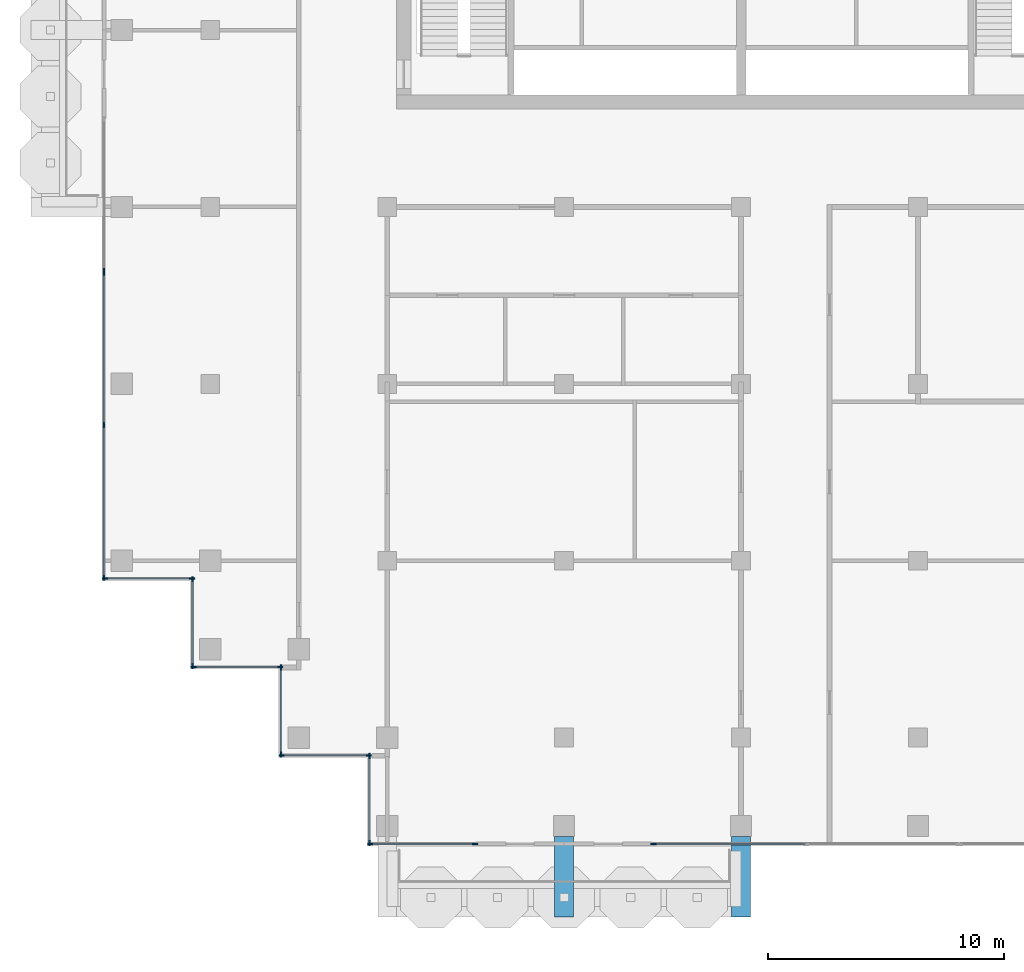
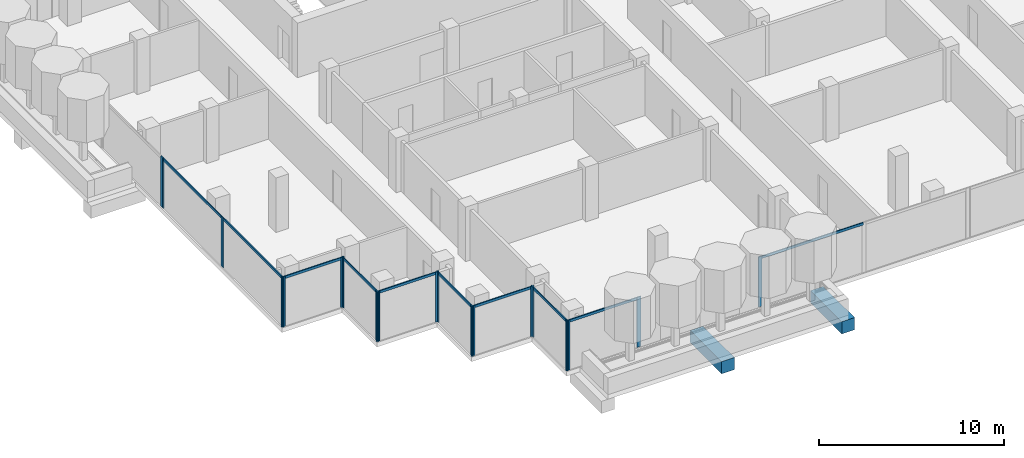
# One storey, part 2 of 18: 29 members, 2 beams, 10 elements without a shape of their own.
"""IFC4 building model written with IfcOpenShell, lengths in metres."""

from ifc_helpers import new_model, si_unit, direction, frame, origin, origin_2d, place, context, subcontext, project, spatial, rectangle, extrude, material, material_profile, profile_set, type_object, element, aggregate, save


model = new_model("IFC4")

# Units and contexts
model_context = context("Model", 3, precision=1e-05, world=origin(), true_north=direction((0.0, 1.0)))
body_context = subcontext(model_context, "Body", "Model", "MODEL_VIEW")
ifc_project = project(units=[si_unit("LENGTHUNIT", "METRE"), si_unit("AREAUNIT", "SQUARE_METRE"), si_unit("VOLUMEUNIT", "CUBIC_METRE"), si_unit("PLANEANGLEUNIT", "RADIAN"), si_unit("MASSUNIT", "GRAM", prefix="KILO")], contexts=[model_context])

# Site, building, storey
site_placement = place(None, origin())
site = spatial("IfcSite", under=ifc_project, at=site_placement, CompositionType="ELEMENT")
building_placement = place(site_placement, origin())
building = spatial("IfcBuilding", under=site, at=building_placement, Name="Pilkhan Gate Tower", CompositionType="ELEMENT")
storey_placement = place(building_placement, frame((0.0, 0.0, 235.5)))
storey = spatial("IfcBuildingStorey", under=building, at=storey_placement, Name="L61", CompositionType="ELEMENT", Elevation=235.5)

# Beams
ifc_material_1 = material(Name="Concrete C50/60", Category="concrete")
ifc_material_profile_1 = material_profile(ifc_material_1, rectangle(XDim=0.800048828125, YDim=0.800048828125, at=origin_2d()), Name="RC 800x800")
ifc_profile_set_1 = profile_set([ifc_material_profile_1], Name="Concrete C50/60")
beam_type = type_object("IfcBeamType", Name="Cantilever beam CB2 RC 800x800 C50/60", PredefinedType="BEAM", material=ifc_profile_set_1)
for number, where, z_axis, x_axis, name in (
    (1, (67.5, 40.800048828125, -0.699951171875), (0.0, -1.0, 0.0), (1.0, 0.0, 0.0), "Balcony beam S.2 L61"),
    (2, (75.0, 40.800048828125, -0.699951171875), (0.0, -1.0, 0.0), (1.0, 0.0, 0.0), "Balcony beam S.3 L61"),
):
    element("IfcBeam", number, at=place(storey_placement, frame(where, z_axis=z_axis, x_axis=x_axis)), inside=storey, type_object=beam_type, Name=name, PredefinedType="BEAM", context=body_context, shape_type="SweptSolid", body=[
        extrude(rectangle(XDim=0.800048828125, YDim=0.800048828125, at=origin_2d()), origin(), (0.0, 0.0, 1.0), 3.400146484375),
    ])

# Curtain wall, members
ifc_material_2 = material(Name="Pale anodised aluminium, clear low-iron double glazing", Category="aluminium")
curtain_wall_type = type_object("IfcCurtainWallType", Name="Office unitised curtain wall CW-O2", PredefinedType="USERDEFINED", material=ifc_material_2)
curtain_wall_1_placement = place(storey_placement, origin())
curtain_wall_1 = element("IfcCurtainWall", 3, at=curtain_wall_1_placement, inside=storey, type_object=curtain_wall_type, Name="Office unitised curtain wall CW-O2 L61 W", ObjectType="UNITISED CURTAIN WALL", PredefinedType="USERDEFINED")
ifc_material_3 = material(Name="Pale anodised aluminium", Category="aluminium")
ifc_material_profile_2 = material_profile(ifc_material_3, rectangle(XDim=0.06494140625, YDim=0.22509765625, at=origin_2d()), Name="Mullion 225x65")
ifc_profile_set_2 = profile_set([ifc_material_profile_2], Name="Pale anodised aluminium")
member_type_1 = type_object("IfcMemberType", Name="Mullion CW-O2 225x65", PredefinedType="MULLION", material=ifc_profile_set_2)
member_1_placement = place(storey_placement, frame((48.0, 51.782470703125, 0.0), z_axis=(0.0, 0.0, 1.0), x_axis=(-1.0, 0.0, 0.0)))
member_1 = element("IfcMember", 4, at=member_1_placement, type_object=member_type_1, Name="CW-O2 mullion 1", PredefinedType="MULLION", context=body_context, shape_type="SweptSolid", body=[
    extrude(rectangle(XDim=0.06494140625, YDim=0.22509765625, at=origin_2d()), origin(), (0.0, 0.0, 1.0), 3.300048828125),
])
member_2_placement = place(storey_placement, frame((48.0, 58.25, 0.0), z_axis=(0.0, 0.0, 1.0), x_axis=(-1.0, 0.0, 0.0)))
member_2 = element("IfcMember", 5, at=member_2_placement, type_object=member_type_1, Name="CW-O2 mullion 2", PredefinedType="MULLION", context=body_context, shape_type="SweptSolid", body=[
    extrude(rectangle(XDim=0.06494140625, YDim=0.22509765625, at=origin_2d()), origin(), (0.0, 0.0, 1.0), 3.300048828125),
])
member_3_placement = place(storey_placement, frame((48.0, 64.717529296875, 0.0), z_axis=(0.0, 0.0, 1.0), x_axis=(-1.0, 0.0, 0.0)))
member_3 = element("IfcMember", 6, at=member_3_placement, type_object=member_type_1, Name="CW-O2 mullion 3", PredefinedType="MULLION", context=body_context, shape_type="SweptSolid", body=[
    extrude(rectangle(XDim=0.06494140625, YDim=0.22509765625, at=origin_2d()), origin(), (0.0, 0.0, 1.0), 3.300048828125),
])

# Curtain wall, member
curtain_wall_2_placement = place(storey_placement, origin())
curtain_wall_2 = element("IfcCurtainWall", 7, at=curtain_wall_2_placement, inside=storey, type_object=curtain_wall_type, Name="Office unitised curtain wall CW-O2 L61 W", ObjectType="UNITISED CURTAIN WALL", PredefinedType="USERDEFINED")
member_4_placement = place(storey_placement, frame((48.0, 64.782470703125, 0.0), z_axis=(0.0, 0.0, 1.0), x_axis=(-1.0, 0.0, 0.0)))
member_4 = element("IfcMember", 8, at=member_4_placement, type_object=member_type_1, Name="CW-O2 mullion 1", PredefinedType="MULLION", context=body_context, shape_type="SweptSolid", body=[
    extrude(rectangle(XDim=0.06494140625, YDim=0.22509765625, at=origin_2d()), origin(), (0.0, 0.0, 1.0), 3.300048828125),
])
aggregate(curtain_wall_2, [member_4])

# Curtain wall, members
curtain_wall_3_placement = place(storey_placement, origin())
curtain_wall_3 = element("IfcCurtainWall", 9, at=curtain_wall_3_placement, inside=storey, type_object=curtain_wall_type, Name="Office unitised curtain wall CW-O2 L61 S", ObjectType="UNITISED CURTAIN WALL", PredefinedType="USERDEFINED")
member_5_placement = place(storey_placement, frame((48.032470703125, 51.75, 0.0), z_axis=(0.0, 0.0, 1.0), x_axis=(0.0, 1.0, 0.0)))
member_5 = element("IfcMember", 10, at=member_5_placement, type_object=member_type_1, Name="CW-O2 mullion 1", PredefinedType="MULLION", context=body_context, shape_type="SweptSolid", body=[
    extrude(rectangle(XDim=0.06494140625, YDim=0.22509765625, at=origin_2d()), origin(), (0.0, 0.0, 1.0), 3.300048828125),
])
member_6_placement = place(storey_placement, frame((51.717529296875, 51.75, 0.0), z_axis=(0.0, 0.0, 1.0), x_axis=(0.0, 1.0, 0.0)))
member_6 = element("IfcMember", 11, at=member_6_placement, type_object=member_type_1, Name="CW-O2 mullion 2", PredefinedType="MULLION", context=body_context, shape_type="SweptSolid", body=[
    extrude(rectangle(XDim=0.06494140625, YDim=0.22509765625, at=origin_2d()), origin(), (0.0, 0.0, 1.0), 3.300048828125),
])

curtain_wall_4_placement = place(storey_placement, origin())
curtain_wall_4 = element("IfcCurtainWall", 12, at=curtain_wall_4_placement, inside=storey, type_object=curtain_wall_type, Name="Office unitised curtain wall CW-O2 L61 W", ObjectType="UNITISED CURTAIN WALL", PredefinedType="USERDEFINED")
member_7_placement = place(storey_placement, frame((51.75, 48.032470703125, 0.0), z_axis=(0.0, 0.0, 1.0), x_axis=(-1.0, 0.0, 0.0)))
member_7 = element("IfcMember", 13, at=member_7_placement, type_object=member_type_1, Name="CW-O2 mullion 1", PredefinedType="MULLION", context=body_context, shape_type="SweptSolid", body=[
    extrude(rectangle(XDim=0.06494140625, YDim=0.22509765625, at=origin_2d()), origin(), (0.0, 0.0, 1.0), 3.300048828125),
])
member_8_placement = place(storey_placement, frame((51.75, 51.717529296875, 0.0), z_axis=(0.0, 0.0, 1.0), x_axis=(-1.0, 0.0, 0.0)))
member_8 = element("IfcMember", 14, at=member_8_placement, type_object=member_type_1, Name="CW-O2 mullion 2", PredefinedType="MULLION", context=body_context, shape_type="SweptSolid", body=[
    extrude(rectangle(XDim=0.06494140625, YDim=0.22509765625, at=origin_2d()), origin(), (0.0, 0.0, 1.0), 3.300048828125),
])

curtain_wall_5_placement = place(storey_placement, origin())
curtain_wall_5 = element("IfcCurtainWall", 15, at=curtain_wall_5_placement, inside=storey, type_object=curtain_wall_type, Name="Office unitised curtain wall CW-O2 L61 S", ObjectType="UNITISED CURTAIN WALL", PredefinedType="USERDEFINED")
member_9_placement = place(storey_placement, frame((51.782470703125, 48.0, 0.0), z_axis=(0.0, 0.0, 1.0), x_axis=(0.0, 1.0, 0.0)))
member_9 = element("IfcMember", 16, at=member_9_placement, type_object=member_type_1, Name="CW-O2 mullion 1", PredefinedType="MULLION", context=body_context, shape_type="SweptSolid", body=[
    extrude(rectangle(XDim=0.06494140625, YDim=0.22509765625, at=origin_2d()), origin(), (0.0, 0.0, 1.0), 3.300048828125),
])
member_10_placement = place(storey_placement, frame((55.467529296875, 48.0, 0.0), z_axis=(0.0, 0.0, 1.0), x_axis=(0.0, 1.0, 0.0)))
member_10 = element("IfcMember", 17, at=member_10_placement, type_object=member_type_1, Name="CW-O2 mullion 2", PredefinedType="MULLION", context=body_context, shape_type="SweptSolid", body=[
    extrude(rectangle(XDim=0.06494140625, YDim=0.22509765625, at=origin_2d()), origin(), (0.0, 0.0, 1.0), 3.300048828125),
])

curtain_wall_6_placement = place(storey_placement, origin())
curtain_wall_6 = element("IfcCurtainWall", 18, at=curtain_wall_6_placement, inside=storey, type_object=curtain_wall_type, Name="Office unitised curtain wall CW-O2 L61 W", ObjectType="UNITISED CURTAIN WALL", PredefinedType="USERDEFINED")
member_11_placement = place(storey_placement, frame((55.5, 44.282470703125, 0.0), z_axis=(0.0, 0.0, 1.0), x_axis=(-1.0, 0.0, 0.0)))
member_11 = element("IfcMember", 19, at=member_11_placement, type_object=member_type_1, Name="CW-O2 mullion 1", PredefinedType="MULLION", context=body_context, shape_type="SweptSolid", body=[
    extrude(rectangle(XDim=0.06494140625, YDim=0.22509765625, at=origin_2d()), origin(), (0.0, 0.0, 1.0), 3.300048828125),
])
member_12_placement = place(storey_placement, frame((55.5, 47.967529296875, 0.0), z_axis=(0.0, 0.0, 1.0), x_axis=(-1.0, 0.0, 0.0)))
member_12 = element("IfcMember", 20, at=member_12_placement, type_object=member_type_1, Name="CW-O2 mullion 2", PredefinedType="MULLION", context=body_context, shape_type="SweptSolid", body=[
    extrude(rectangle(XDim=0.06494140625, YDim=0.22509765625, at=origin_2d()), origin(), (0.0, 0.0, 1.0), 3.300048828125),
])

curtain_wall_7_placement = place(storey_placement, origin())
curtain_wall_7 = element("IfcCurtainWall", 21, at=curtain_wall_7_placement, inside=storey, type_object=curtain_wall_type, Name="Office unitised curtain wall CW-O2 L61 S", ObjectType="UNITISED CURTAIN WALL", PredefinedType="USERDEFINED")
member_13_placement = place(storey_placement, frame((55.532470703125, 44.25, 0.0), z_axis=(0.0, 0.0, 1.0), x_axis=(0.0, 1.0, 0.0)))
member_13 = element("IfcMember", 22, at=member_13_placement, type_object=member_type_1, Name="CW-O2 mullion 1", PredefinedType="MULLION", context=body_context, shape_type="SweptSolid", body=[
    extrude(rectangle(XDim=0.06494140625, YDim=0.22509765625, at=origin_2d()), origin(), (0.0, 0.0, 1.0), 3.300048828125),
])
member_14_placement = place(storey_placement, frame((59.217529296875, 44.25, 0.0), z_axis=(0.0, 0.0, 1.0), x_axis=(0.0, 1.0, 0.0)))
member_14 = element("IfcMember", 23, at=member_14_placement, type_object=member_type_1, Name="CW-O2 mullion 2", PredefinedType="MULLION", context=body_context, shape_type="SweptSolid", body=[
    extrude(rectangle(XDim=0.06494140625, YDim=0.22509765625, at=origin_2d()), origin(), (0.0, 0.0, 1.0), 3.300048828125),
])

curtain_wall_8_placement = place(storey_placement, origin())
curtain_wall_8 = element("IfcCurtainWall", 24, at=curtain_wall_8_placement, inside=storey, type_object=curtain_wall_type, Name="Office unitised curtain wall CW-O2 L61 W", ObjectType="UNITISED CURTAIN WALL", PredefinedType="USERDEFINED")
member_15_placement = place(storey_placement, frame((59.25, 40.532470703125, 0.0), z_axis=(0.0, 0.0, 1.0), x_axis=(-1.0, 0.0, 0.0)))
member_15 = element("IfcMember", 25, at=member_15_placement, type_object=member_type_1, Name="CW-O2 mullion 1", PredefinedType="MULLION", context=body_context, shape_type="SweptSolid", body=[
    extrude(rectangle(XDim=0.06494140625, YDim=0.22509765625, at=origin_2d()), origin(), (0.0, 0.0, 1.0), 3.300048828125),
])
member_16_placement = place(storey_placement, frame((59.25, 44.217529296875, 0.0), z_axis=(0.0, 0.0, 1.0), x_axis=(-1.0, 0.0, 0.0)))
member_16 = element("IfcMember", 26, at=member_16_placement, type_object=member_type_1, Name="CW-O2 mullion 2", PredefinedType="MULLION", context=body_context, shape_type="SweptSolid", body=[
    extrude(rectangle(XDim=0.06494140625, YDim=0.22509765625, at=origin_2d()), origin(), (0.0, 0.0, 1.0), 3.300048828125),
])

curtain_wall_9_placement = place(storey_placement, origin())
curtain_wall_9 = element("IfcCurtainWall", 27, at=curtain_wall_9_placement, inside=storey, type_object=curtain_wall_type, Name="Office unitised curtain wall CW-O2 L61 S", ObjectType="UNITISED CURTAIN WALL", PredefinedType="USERDEFINED")
member_17_placement = place(storey_placement, frame((59.282470703125, 40.5, 0.0), z_axis=(0.0, 0.0, 1.0), x_axis=(0.0, 1.0, 0.0)))
member_17 = element("IfcMember", 28, at=member_17_placement, type_object=member_type_1, Name="CW-O2 mullion 1", PredefinedType="MULLION", context=body_context, shape_type="SweptSolid", body=[
    extrude(rectangle(XDim=0.06494140625, YDim=0.22509765625, at=origin_2d()), origin(), (0.0, 0.0, 1.0), 3.300048828125),
])
member_18_placement = place(storey_placement, frame((63.717529296875, 40.5, 0.0), z_axis=(0.0, 0.0, 1.0), x_axis=(0.0, 1.0, 0.0)))
member_18 = element("IfcMember", 29, at=member_18_placement, type_object=member_type_1, Name="CW-O2 mullion 2", PredefinedType="MULLION", context=body_context, shape_type="SweptSolid", body=[
    extrude(rectangle(XDim=0.06494140625, YDim=0.22509765625, at=origin_2d()), origin(), (0.0, 0.0, 1.0), 3.300048828125),
])

# Curtain wall, member
curtain_wall_10_placement = place(storey_placement, origin())
curtain_wall_10 = element("IfcCurtainWall", 30, at=curtain_wall_10_placement, inside=storey, type_object=curtain_wall_type, Name="Office unitised curtain wall CW-O2 L61 S", ObjectType="UNITISED CURTAIN WALL", PredefinedType="USERDEFINED")
member_19_placement = place(storey_placement, frame((71.282470703125, 40.5, 0.0), z_axis=(0.0, 0.0, 1.0), x_axis=(0.0, 1.0, 0.0)))
member_19 = element("IfcMember", 31, at=member_19_placement, type_object=member_type_1, Name="CW-O2 mullion 1", PredefinedType="MULLION", context=body_context, shape_type="SweptSolid", body=[
    extrude(rectangle(XDim=0.06494140625, YDim=0.22509765625, at=origin_2d()), origin(), (0.0, 0.0, 1.0), 3.300048828125),
])

# Member
ifc_material_profile_3 = material_profile(ifc_material_3, rectangle(XDim=0.06494140625, YDim=0.1650390625, at=origin_2d()), Name="Transom 165x65")
ifc_profile_set_3 = profile_set([ifc_material_profile_3], Name="Pale anodised aluminium")
member_type_2 = type_object("IfcMemberType", Name="Transom CW-O2 165x65", PredefinedType="USERDEFINED", material=ifc_profile_set_3)
member_20_placement = place(storey_placement, frame((48.0, 51.81494140625, 3.217529296875), z_axis=(0.0, 1.0, 0.0), x_axis=(-1.0, 0.0, 0.0)))
member_20 = element("IfcMember", 32, at=member_20_placement, type_object=member_type_2, Name="CW-O2 transom 1", ObjectType="TRANSOM", PredefinedType="USERDEFINED", context=body_context, shape_type="SweptSolid", body=[
    extrude(rectangle(XDim=0.06494140625, YDim=0.1650390625, at=origin_2d()), origin(), (0.0, 0.0, 1.0), 6.402587890625),
])

member_21_placement = place(storey_placement, frame((48.0, 58.282470703125, 3.217529296875), z_axis=(0.0, 1.0, 0.0), x_axis=(-1.0, 0.0, 0.0)))
member_21 = element("IfcMember", 33, at=member_21_placement, type_object=member_type_2, Name="CW-O2 transom 2", ObjectType="TRANSOM", PredefinedType="USERDEFINED", context=body_context, shape_type="SweptSolid", body=[
    extrude(rectangle(XDim=0.06494140625, YDim=0.1650390625, at=origin_2d()), origin(), (0.0, 0.0, 1.0), 6.402587890625),
])

aggregate(curtain_wall_1, [member_1, member_2, member_3, member_20, member_21])

member_22_placement = place(storey_placement, frame((48.06494140625, 51.75, 3.217529296875), z_axis=(1.0, 0.0, 0.0), x_axis=(0.0, 1.0, 0.0)))
member_22 = element("IfcMember", 34, at=member_22_placement, type_object=member_type_2, Name="CW-O2 transom 1", ObjectType="TRANSOM", PredefinedType="USERDEFINED", context=body_context, shape_type="SweptSolid", body=[
    extrude(rectangle(XDim=0.06494140625, YDim=0.1650390625, at=origin_2d()), origin(), (0.0, 0.0, 1.0), 3.6201171875),
])

aggregate(curtain_wall_3, [member_5, member_6, member_22])

member_23_placement = place(storey_placement, frame((51.75, 48.06494140625, 3.217529296875), z_axis=(0.0, 1.0, 0.0), x_axis=(-1.0, 0.0, 0.0)))
member_23 = element("IfcMember", 35, at=member_23_placement, type_object=member_type_2, Name="CW-O2 transom 1", ObjectType="TRANSOM", PredefinedType="USERDEFINED", context=body_context, shape_type="SweptSolid", body=[
    extrude(rectangle(XDim=0.06494140625, YDim=0.1650390625, at=origin_2d()), origin(), (0.0, 0.0, 1.0), 3.6201171875),
])

aggregate(curtain_wall_4, [member_7, member_8, member_23])

member_24_placement = place(storey_placement, frame((51.81494140625, 48.0, 3.217529296875), z_axis=(1.0, 0.0, 0.0), x_axis=(0.0, 1.0, 0.0)))
member_24 = element("IfcMember", 36, at=member_24_placement, type_object=member_type_2, Name="CW-O2 transom 1", ObjectType="TRANSOM", PredefinedType="USERDEFINED", context=body_context, shape_type="SweptSolid", body=[
    extrude(rectangle(XDim=0.06494140625, YDim=0.1650390625, at=origin_2d()), origin(), (0.0, 0.0, 1.0), 3.6201171875),
])

aggregate(curtain_wall_5, [member_9, member_10, member_24])

member_25_placement = place(storey_placement, frame((55.5, 44.31494140625, 3.217529296875), z_axis=(0.0, 1.0, 0.0), x_axis=(-1.0, 0.0, 0.0)))
member_25 = element("IfcMember", 37, at=member_25_placement, type_object=member_type_2, Name="CW-O2 transom 1", ObjectType="TRANSOM", PredefinedType="USERDEFINED", context=body_context, shape_type="SweptSolid", body=[
    extrude(rectangle(XDim=0.06494140625, YDim=0.1650390625, at=origin_2d()), origin(), (0.0, 0.0, 1.0), 3.6201171875),
])

aggregate(curtain_wall_6, [member_11, member_12, member_25])

member_26_placement = place(storey_placement, frame((55.56494140625, 44.25, 3.217529296875), z_axis=(1.0, 0.0, 0.0), x_axis=(0.0, 1.0, 0.0)))
member_26 = element("IfcMember", 38, at=member_26_placement, type_object=member_type_2, Name="CW-O2 transom 1", ObjectType="TRANSOM", PredefinedType="USERDEFINED", context=body_context, shape_type="SweptSolid", body=[
    extrude(rectangle(XDim=0.06494140625, YDim=0.1650390625, at=origin_2d()), origin(), (0.0, 0.0, 1.0), 3.6201171875),
])

aggregate(curtain_wall_7, [member_13, member_14, member_26])

member_27_placement = place(storey_placement, frame((59.25, 40.56494140625, 3.217529296875), z_axis=(0.0, 1.0, 0.0), x_axis=(-1.0, 0.0, 0.0)))
member_27 = element("IfcMember", 39, at=member_27_placement, type_object=member_type_2, Name="CW-O2 transom 1", ObjectType="TRANSOM", PredefinedType="USERDEFINED", context=body_context, shape_type="SweptSolid", body=[
    extrude(rectangle(XDim=0.06494140625, YDim=0.1650390625, at=origin_2d()), origin(), (0.0, 0.0, 1.0), 3.6201171875),
])

aggregate(curtain_wall_8, [member_15, member_16, member_27])

member_28_placement = place(storey_placement, frame((59.31494140625, 40.5, 3.217529296875), z_axis=(1.0, 0.0, 0.0), x_axis=(0.0, 1.0, 0.0)))
member_28 = element("IfcMember", 40, at=member_28_placement, type_object=member_type_2, Name="CW-O2 transom 1", ObjectType="TRANSOM", PredefinedType="USERDEFINED", context=body_context, shape_type="SweptSolid", body=[
    extrude(rectangle(XDim=0.06494140625, YDim=0.1650390625, at=origin_2d()), origin(), (0.0, 0.0, 1.0), 4.3701171875),
])

aggregate(curtain_wall_9, [member_17, member_18, member_28])

member_29_placement = place(storey_placement, frame((71.31494140625, 40.5, 3.217529296875), z_axis=(1.0, 0.0, 0.0), x_axis=(0.0, 1.0, 0.0)))
member_29 = element("IfcMember", 41, at=member_29_placement, type_object=member_type_2, Name="CW-O2 transom 1", ObjectType="TRANSOM", PredefinedType="USERDEFINED", context=body_context, shape_type="SweptSolid", body=[
    extrude(rectangle(XDim=0.06494140625, YDim=0.1650390625, at=origin_2d()), origin(), (0.0, 0.0, 1.0), 6.402587890625),
])

aggregate(curtain_wall_10, [member_19, member_29])

save(model, "model.ifc")
